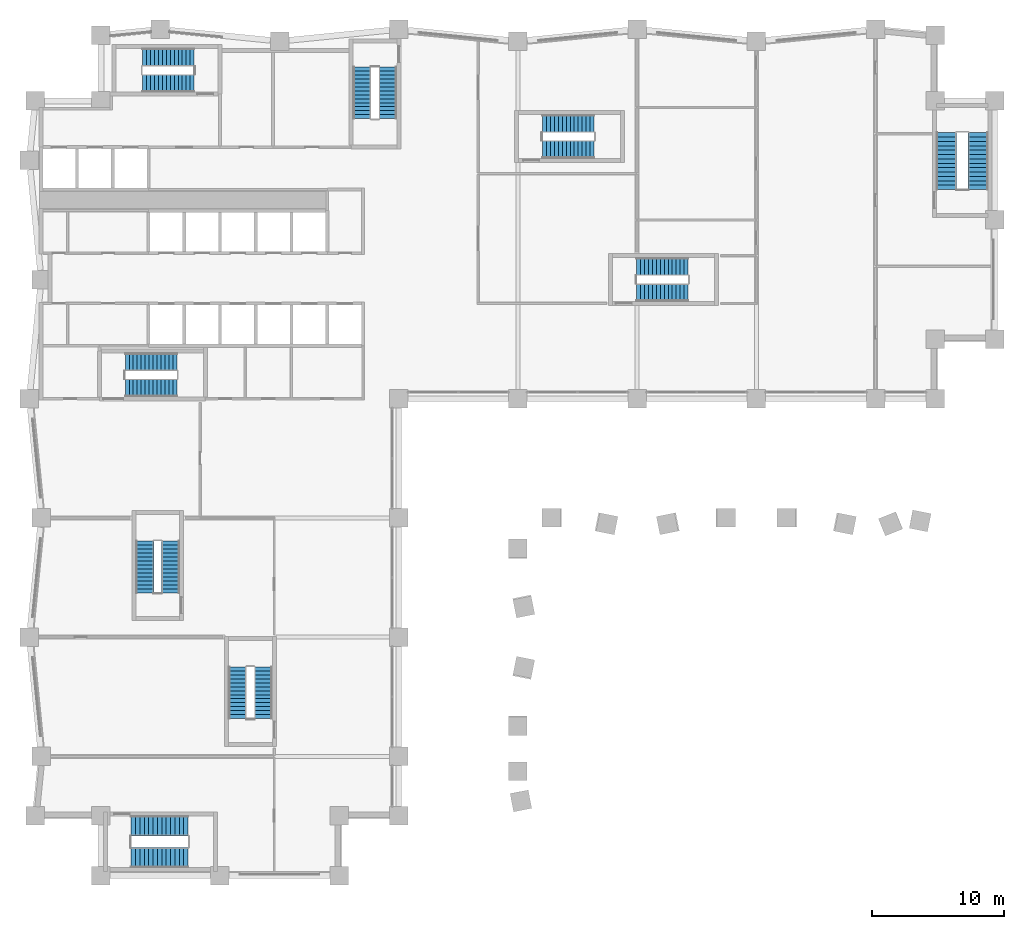
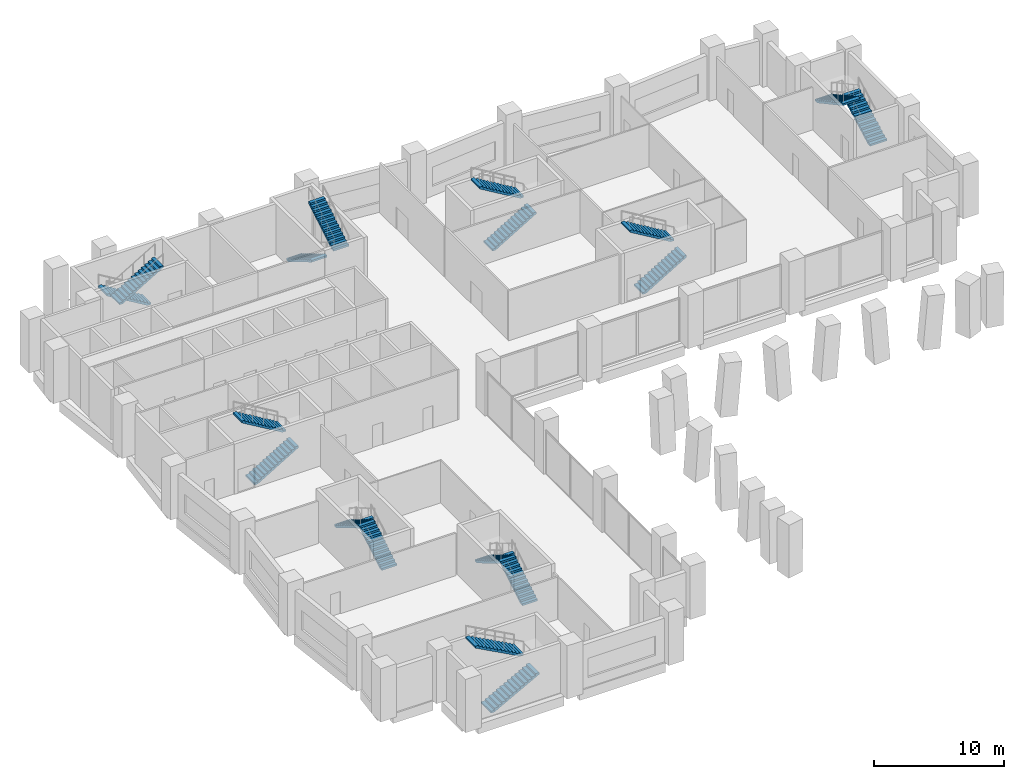
# One storey, part 14 of 17: 18 stair flights, 9 elements without a shape of their own.
"""IFC4 building model written with IfcOpenShell, lengths in metres."""

from ifc_helpers import new_model, si_unit, direction, frame, origin, place, context, subcontext, project, spatial, polyline, outline, extrude, material, type_object, element, aggregate, save


model = new_model("IFC4")

# Units and contexts
model_context = context("Model", 3, precision=1e-05, world=origin(), true_north=direction((0.0, 1.0)))
body_context = subcontext(model_context, "Body", "Model", "MODEL_VIEW")
ifc_project = project(units=[si_unit("LENGTHUNIT", "METRE"), si_unit("AREAUNIT", "SQUARE_METRE"), si_unit("VOLUMEUNIT", "CUBIC_METRE"), si_unit("PLANEANGLEUNIT", "RADIAN"), si_unit("MASSUNIT", "GRAM", prefix="KILO")], contexts=[model_context])

# Site, building, storey
site_placement = place(None, origin())
site = spatial("IfcSite", under=ifc_project, at=site_placement, CompositionType="ELEMENT")
building_placement = place(site_placement, origin())
building = spatial("IfcBuilding", under=site, at=building_placement, Name="Brondeck Convention Tower", CompositionType="ELEMENT")
storey_placement = place(building_placement, frame((0.0, 0.0, 14.5)))
storey = spatial("IfcBuildingStorey", under=building, at=storey_placement, Name="L02", CompositionType="ELEMENT", Elevation=14.5)

# Stair, stair flights
ifc_material = material(Name="Precast concrete C50/60", Category="concrete")
stair_type_1 = type_object("IfcStairType", Name="Core stair 28 risers 178.57 mm riser 300 mm going 1350 wide", PredefinedType="HALF_TURN_STAIR", material=ifc_material)
stair_1_placement = place(storey_placement, origin())
stair_1 = element("IfcStair", 1, at=stair_1_placement, inside=storey, type_object=stair_type_1, Name="ST-1 L02 stair", PredefinedType="HALF_TURN_STAIR")
stair_flight_type_1 = type_object("IfcStairFlightType", Name="Core stair flight 28 risers 178.57 mm riser 300 mm going 1350 wide", PredefinedType="STRAIGHT", material=ifc_material)
stair_flight_1_placement = place(storey_placement, frame((6.35009765625, 36.824951171875, 0.0), z_axis=(0.0, 0.0, 1.0), x_axis=(1.0, 0.0, 0.0)))
stair_flight_1 = element("IfcStairFlight", 2, at=stair_flight_1_placement, type_object=stair_flight_type_1, Name="ST-1 flight 1", NumberOfRisers=14, NumberOfTreads=13, PredefinedType="STRAIGHT", RiserHeight=0.178571429, TreadLength=0.3, context=body_context, shape_type="SweptSolid", body=[
    extrude(outline(polyline([(0.0, 0.0), (0.0, 0.178466796875), (0.300048828125, 0.178466796875), (0.300048828125, 0.357177734375), (0.60009765625, 0.357177734375), (0.60009765625, 0.53564453125), (0.89990234375, 0.53564453125), (0.89990234375, 0.71435546875), (1.199951171875, 0.71435546875), (1.199951171875, 0.892822265625), (1.5, 0.892822265625), (1.5, 1.071533203125), (1.800048828125, 1.071533203125), (1.800048828125, 1.25), (2.10009765625, 1.25), (2.10009765625, 1.428466796875), (2.39990234375, 1.428466796875), (2.39990234375, 1.607177734375), (2.699951171875, 1.607177734375), (2.699951171875, 1.78564453125), (3.0, 1.78564453125), (3.0, 1.96435546875), (3.300048828125, 1.96435546875), (3.300048828125, 2.142822265625), (3.60009765625, 2.142822265625), (3.60009765625, 2.321533203125), (3.89990234375, 2.321533203125), (3.89990234375, 2.5), (3.89990234375, 2.14697265625), (0.29296875, 0.0), (0.0, 0.0)])), frame((0.0, 0.675048828125, 0.0), z_axis=(0.0, -1.0, 0.0), x_axis=(1.0, 0.0, 0.0)), (0.0, 0.0, 1.0), 1.35009765625),
])
stair_flight_2_placement = place(storey_placement, frame((10.25, 38.77490234375, 2.5), z_axis=(0.0, 0.0, 1.0), x_axis=(-1.0, 0.0, 0.0)))
stair_flight_2 = element("IfcStairFlight", 3, at=stair_flight_2_placement, type_object=stair_flight_type_1, Name="ST-1 flight 2", NumberOfRisers=14, NumberOfTreads=13, PredefinedType="STRAIGHT", RiserHeight=0.178571429, TreadLength=0.3, context=body_context, shape_type="SweptSolid", body=[
    extrude(outline(polyline([(0.0, 0.0), (0.0, 0.178466796875), (0.300048828125, 0.178466796875), (0.300048828125, 0.357177734375), (0.60009765625, 0.357177734375), (0.60009765625, 0.53564453125), (0.89990234375, 0.53564453125), (0.89990234375, 0.71435546875), (1.199951171875, 0.71435546875), (1.199951171875, 0.892822265625), (1.5, 0.892822265625), (1.5, 1.071533203125), (1.800048828125, 1.071533203125), (1.800048828125, 1.25), (2.10009765625, 1.25), (2.10009765625, 1.428466796875), (2.39990234375, 1.428466796875), (2.39990234375, 1.607177734375), (2.699951171875, 1.607177734375), (2.699951171875, 1.78564453125), (3.0, 1.78564453125), (3.0, 1.96435546875), (3.300048828125, 1.96435546875), (3.300048828125, 2.142822265625), (3.60009765625, 2.142822265625), (3.60009765625, 2.321533203125), (3.89990234375, 2.321533203125), (3.89990234375, 2.5), (3.89990234375, 2.14697265625), (0.29296875, 0.0), (0.0, 0.0)])), frame((0.0, 0.675048828125, 0.0), z_axis=(0.0, -1.0, 0.0), x_axis=(1.0, 0.0, 0.0)), (0.0, 0.0, 1.0), 1.35009765625),
])
aggregate(stair_1, [stair_flight_1, stair_flight_2])

stair_2_placement = place(storey_placement, origin())
stair_2 = element("IfcStair", 4, at=stair_2_placement, inside=storey, type_object=stair_type_1, Name="ST-2 L02 stair", PredefinedType="HALF_TURN_STAIR")
stair_flight_3_placement = place(storey_placement, frame((24.22509765625, 61.050048828125, 0.0), z_axis=(0.0, 0.0, 1.0), x_axis=(0.0, -1.0, 0.0)))
stair_flight_3 = element("IfcStairFlight", 5, at=stair_flight_3_placement, type_object=stair_flight_type_1, Name="ST-2 flight 1", NumberOfRisers=14, NumberOfTreads=13, PredefinedType="STRAIGHT", RiserHeight=0.178571429, TreadLength=0.3, context=body_context, shape_type="SweptSolid", body=[
    extrude(outline(polyline([(0.0, 0.0), (0.0, 0.178466796875), (0.300048828125, 0.178466796875), (0.300048828125, 0.357177734375), (0.60009765625, 0.357177734375), (0.60009765625, 0.53564453125), (0.89990234375, 0.53564453125), (0.89990234375, 0.71435546875), (1.199951171875, 0.71435546875), (1.199951171875, 0.892822265625), (1.5, 0.892822265625), (1.5, 1.071533203125), (1.800048828125, 1.071533203125), (1.800048828125, 1.25), (2.10009765625, 1.25), (2.10009765625, 1.428466796875), (2.39990234375, 1.428466796875), (2.39990234375, 1.607177734375), (2.699951171875, 1.607177734375), (2.699951171875, 1.78564453125), (3.0, 1.78564453125), (3.0, 1.96435546875), (3.300048828125, 1.96435546875), (3.300048828125, 2.142822265625), (3.60009765625, 2.142822265625), (3.60009765625, 2.321533203125), (3.89990234375, 2.321533203125), (3.89990234375, 2.5), (3.89990234375, 2.14697265625), (0.29296875, 0.0), (0.0, 0.0)])), frame((0.0, 0.675048828125, 0.0), z_axis=(0.0, -1.0, 0.0), x_axis=(1.0, 0.0, 0.0)), (0.0, 0.0, 1.0), 1.35009765625),
])
stair_flight_4_placement = place(storey_placement, frame((26.175048828125, 57.14990234375, 2.5), z_axis=(0.0, 0.0, 1.0), x_axis=(0.0, 1.0, 0.0)))
stair_flight_4 = element("IfcStairFlight", 6, at=stair_flight_4_placement, type_object=stair_flight_type_1, Name="ST-2 flight 2", NumberOfRisers=14, NumberOfTreads=13, PredefinedType="STRAIGHT", RiserHeight=0.178571429, TreadLength=0.3, context=body_context, shape_type="SweptSolid", body=[
    extrude(outline(polyline([(0.0, 0.0), (0.0, 0.178466796875), (0.300048828125, 0.178466796875), (0.300048828125, 0.357177734375), (0.60009765625, 0.357177734375), (0.60009765625, 0.53564453125), (0.89990234375, 0.53564453125), (0.89990234375, 0.71435546875), (1.199951171875, 0.71435546875), (1.199951171875, 0.892822265625), (1.5, 0.892822265625), (1.5, 1.071533203125), (1.800048828125, 1.071533203125), (1.800048828125, 1.25), (2.10009765625, 1.25), (2.10009765625, 1.428466796875), (2.39990234375, 1.428466796875), (2.39990234375, 1.607177734375), (2.699951171875, 1.607177734375), (2.699951171875, 1.78564453125), (3.0, 1.78564453125), (3.0, 1.96435546875), (3.300048828125, 1.96435546875), (3.300048828125, 2.142822265625), (3.60009765625, 2.142822265625), (3.60009765625, 2.321533203125), (3.89990234375, 2.321533203125), (3.89990234375, 2.5), (3.89990234375, 2.14697265625), (0.29296875, 0.0), (0.0, 0.0)])), frame((0.0, 0.675048828125, 0.0), z_axis=(0.0, -1.0, 0.0), x_axis=(1.0, 0.0, 0.0)), (0.0, 0.0, 1.0), 1.35009765625),
])
aggregate(stair_2, [stair_flight_3, stair_flight_4])

stair_3_placement = place(storey_placement, origin())
stair_3 = element("IfcStair", 7, at=stair_3_placement, inside=storey, type_object=stair_type_1, Name="ST-3 L02 stair", PredefinedType="HALF_TURN_STAIR")
stair_flight_5_placement = place(storey_placement, frame((11.550048828125, 61.77490234375, 0.0), z_axis=(0.0, 0.0, 1.0), x_axis=(-1.0, 0.0, 0.0)))
stair_flight_5 = element("IfcStairFlight", 8, at=stair_flight_5_placement, type_object=stair_flight_type_1, Name="ST-3 flight 1", NumberOfRisers=14, NumberOfTreads=13, PredefinedType="STRAIGHT", RiserHeight=0.178571429, TreadLength=0.3, context=body_context, shape_type="SweptSolid", body=[
    extrude(outline(polyline([(0.0, 0.0), (0.0, 0.178466796875), (0.300048828125, 0.178466796875), (0.300048828125, 0.357177734375), (0.60009765625, 0.357177734375), (0.60009765625, 0.53564453125), (0.89990234375, 0.53564453125), (0.89990234375, 0.71435546875), (1.199951171875, 0.71435546875), (1.199951171875, 0.892822265625), (1.5, 0.892822265625), (1.5, 1.071533203125), (1.800048828125, 1.071533203125), (1.800048828125, 1.25), (2.10009765625, 1.25), (2.10009765625, 1.428466796875), (2.39990234375, 1.428466796875), (2.39990234375, 1.607177734375), (2.699951171875, 1.607177734375), (2.699951171875, 1.78564453125), (3.0, 1.78564453125), (3.0, 1.96435546875), (3.300048828125, 1.96435546875), (3.300048828125, 2.142822265625), (3.60009765625, 2.142822265625), (3.60009765625, 2.321533203125), (3.89990234375, 2.321533203125), (3.89990234375, 2.5), (3.89990234375, 2.14697265625), (0.29296875, 0.0), (0.0, 0.0)])), frame((0.0, 0.675048828125, 0.0), z_axis=(0.0, -1.0, 0.0), x_axis=(1.0, 0.0, 0.0)), (0.0, 0.0, 1.0), 1.35009765625),
])
stair_flight_6_placement = place(storey_placement, frame((7.64990234375, 59.824951171875, 2.5), z_axis=(0.0, 0.0, 1.0), x_axis=(1.0, 0.0, 0.0)))
stair_flight_6 = element("IfcStairFlight", 9, at=stair_flight_6_placement, type_object=stair_flight_type_1, Name="ST-3 flight 2", NumberOfRisers=14, NumberOfTreads=13, PredefinedType="STRAIGHT", RiserHeight=0.178571429, TreadLength=0.3, context=body_context, shape_type="SweptSolid", body=[
    extrude(outline(polyline([(0.0, 0.0), (0.0, 0.178466796875), (0.300048828125, 0.178466796875), (0.300048828125, 0.357177734375), (0.60009765625, 0.357177734375), (0.60009765625, 0.53564453125), (0.89990234375, 0.53564453125), (0.89990234375, 0.71435546875), (1.199951171875, 0.71435546875), (1.199951171875, 0.892822265625), (1.5, 0.892822265625), (1.5, 1.071533203125), (1.800048828125, 1.071533203125), (1.800048828125, 1.25), (2.10009765625, 1.25), (2.10009765625, 1.428466796875), (2.39990234375, 1.428466796875), (2.39990234375, 1.607177734375), (2.699951171875, 1.607177734375), (2.699951171875, 1.78564453125), (3.0, 1.78564453125), (3.0, 1.96435546875), (3.300048828125, 1.96435546875), (3.300048828125, 2.142822265625), (3.60009765625, 2.142822265625), (3.60009765625, 2.321533203125), (3.89990234375, 2.321533203125), (3.89990234375, 2.5), (3.89990234375, 2.14697265625), (0.29296875, 0.0), (0.0, 0.0)])), frame((0.0, 0.675048828125, 0.0), z_axis=(0.0, -1.0, 0.0), x_axis=(1.0, 0.0, 0.0)), (0.0, 0.0, 1.0), 1.35009765625),
])
aggregate(stair_3, [stair_flight_5, stair_flight_6])

stair_4_placement = place(storey_placement, origin())
stair_4 = element("IfcStair", 10, at=stair_4_placement, inside=storey, type_object=stair_type_1, Name="ST-AE L02 stair", PredefinedType="HALF_TURN_STAIR")
stair_flight_7_placement = place(storey_placement, frame((37.85009765625, 54.824951171875, 0.0), z_axis=(0.0, 0.0, 1.0), x_axis=(1.0, 0.0, 0.0)))
stair_flight_7 = element("IfcStairFlight", 11, at=stair_flight_7_placement, type_object=stair_flight_type_1, Name="ST-AE flight 1", NumberOfRisers=14, NumberOfTreads=13, PredefinedType="STRAIGHT", RiserHeight=0.178571429, TreadLength=0.3, context=body_context, shape_type="SweptSolid", body=[
    extrude(outline(polyline([(0.0, 0.0), (0.0, 0.178466796875), (0.300048828125, 0.178466796875), (0.300048828125, 0.357177734375), (0.60009765625, 0.357177734375), (0.60009765625, 0.53564453125), (0.89990234375, 0.53564453125), (0.89990234375, 0.71435546875), (1.199951171875, 0.71435546875), (1.199951171875, 0.892822265625), (1.5, 0.892822265625), (1.5, 1.071533203125), (1.800048828125, 1.071533203125), (1.800048828125, 1.25), (2.10009765625, 1.25), (2.10009765625, 1.428466796875), (2.39990234375, 1.428466796875), (2.39990234375, 1.607177734375), (2.699951171875, 1.607177734375), (2.699951171875, 1.78564453125), (3.0, 1.78564453125), (3.0, 1.96435546875), (3.300048828125, 1.96435546875), (3.300048828125, 2.142822265625), (3.60009765625, 2.142822265625), (3.60009765625, 2.321533203125), (3.89990234375, 2.321533203125), (3.89990234375, 2.5), (3.89990234375, 2.14697265625), (0.29296875, 0.0), (0.0, 0.0)])), frame((0.0, 0.675048828125, 0.0), z_axis=(0.0, -1.0, 0.0), x_axis=(1.0, 0.0, 0.0)), (0.0, 0.0, 1.0), 1.35009765625),
])
stair_flight_8_placement = place(storey_placement, frame((41.75, 56.77490234375, 2.5), z_axis=(0.0, 0.0, 1.0), x_axis=(-1.0, 0.0, 0.0)))
stair_flight_8 = element("IfcStairFlight", 12, at=stair_flight_8_placement, type_object=stair_flight_type_1, Name="ST-AE flight 2", NumberOfRisers=14, NumberOfTreads=13, PredefinedType="STRAIGHT", RiserHeight=0.178571429, TreadLength=0.3, context=body_context, shape_type="SweptSolid", body=[
    extrude(outline(polyline([(0.0, 0.0), (0.0, 0.178466796875), (0.300048828125, 0.178466796875), (0.300048828125, 0.357177734375), (0.60009765625, 0.357177734375), (0.60009765625, 0.53564453125), (0.89990234375, 0.53564453125), (0.89990234375, 0.71435546875), (1.199951171875, 0.71435546875), (1.199951171875, 0.892822265625), (1.5, 0.892822265625), (1.5, 1.071533203125), (1.800048828125, 1.071533203125), (1.800048828125, 1.25), (2.10009765625, 1.25), (2.10009765625, 1.428466796875), (2.39990234375, 1.428466796875), (2.39990234375, 1.607177734375), (2.699951171875, 1.607177734375), (2.699951171875, 1.78564453125), (3.0, 1.78564453125), (3.0, 1.96435546875), (3.300048828125, 1.96435546875), (3.300048828125, 2.142822265625), (3.60009765625, 2.142822265625), (3.60009765625, 2.321533203125), (3.89990234375, 2.321533203125), (3.89990234375, 2.5), (3.89990234375, 2.14697265625), (0.29296875, 0.0), (0.0, 0.0)])), frame((0.0, 0.675048828125, 0.0), z_axis=(0.0, -1.0, 0.0), x_axis=(1.0, 0.0, 0.0)), (0.0, 0.0, 1.0), 1.35009765625),
])
aggregate(stair_4, [stair_flight_7, stair_flight_8])

stair_5_placement = place(storey_placement, origin())
stair_5 = element("IfcStair", 13, at=stair_5_placement, inside=storey, type_object=stair_type_1, Name="ST-BE L02 stair", PredefinedType="HALF_TURN_STAIR")
stair_flight_9_placement = place(storey_placement, frame((9.77490234375, 21.35009765625, 0.0), z_axis=(0.0, 0.0, 1.0), x_axis=(0.0, 1.0, 0.0)))
stair_flight_9 = element("IfcStairFlight", 14, at=stair_flight_9_placement, type_object=stair_flight_type_1, Name="ST-BE flight 1", NumberOfRisers=14, NumberOfTreads=13, PredefinedType="STRAIGHT", RiserHeight=0.178571429, TreadLength=0.3, context=body_context, shape_type="SweptSolid", body=[
    extrude(outline(polyline([(0.0, 0.0), (0.0, 0.178466796875), (0.300048828125, 0.178466796875), (0.300048828125, 0.357177734375), (0.60009765625, 0.357177734375), (0.60009765625, 0.53564453125), (0.89990234375, 0.53564453125), (0.89990234375, 0.71435546875), (1.199951171875, 0.71435546875), (1.199951171875, 0.892822265625), (1.5, 0.892822265625), (1.5, 1.071533203125), (1.800048828125, 1.071533203125), (1.800048828125, 1.25), (2.10009765625, 1.25), (2.10009765625, 1.428466796875), (2.39990234375, 1.428466796875), (2.39990234375, 1.607177734375), (2.699951171875, 1.607177734375), (2.699951171875, 1.78564453125), (3.0, 1.78564453125), (3.0, 1.96435546875), (3.300048828125, 1.96435546875), (3.300048828125, 2.142822265625), (3.60009765625, 2.142822265625), (3.60009765625, 2.321533203125), (3.89990234375, 2.321533203125), (3.89990234375, 2.5), (3.89990234375, 2.14697265625), (0.29296875, 0.0), (0.0, 0.0)])), frame((0.0, 0.675048828125, 0.0), z_axis=(0.0, -1.0, 0.0), x_axis=(1.0, 0.0, 0.0)), (0.0, 0.0, 1.0), 1.35009765625),
])
stair_flight_10_placement = place(storey_placement, frame((7.824951171875, 25.25, 2.5), z_axis=(0.0, 0.0, 1.0), x_axis=(0.0, -1.0, 0.0)))
stair_flight_10 = element("IfcStairFlight", 15, at=stair_flight_10_placement, type_object=stair_flight_type_1, Name="ST-BE flight 2", NumberOfRisers=14, NumberOfTreads=13, PredefinedType="STRAIGHT", RiserHeight=0.178571429, TreadLength=0.3, context=body_context, shape_type="SweptSolid", body=[
    extrude(outline(polyline([(0.0, 0.0), (0.0, 0.178466796875), (0.300048828125, 0.178466796875), (0.300048828125, 0.357177734375), (0.60009765625, 0.357177734375), (0.60009765625, 0.53564453125), (0.89990234375, 0.53564453125), (0.89990234375, 0.71435546875), (1.199951171875, 0.71435546875), (1.199951171875, 0.892822265625), (1.5, 0.892822265625), (1.5, 1.071533203125), (1.800048828125, 1.071533203125), (1.800048828125, 1.25), (2.10009765625, 1.25), (2.10009765625, 1.428466796875), (2.39990234375, 1.428466796875), (2.39990234375, 1.607177734375), (2.699951171875, 1.607177734375), (2.699951171875, 1.78564453125), (3.0, 1.78564453125), (3.0, 1.96435546875), (3.300048828125, 1.96435546875), (3.300048828125, 2.142822265625), (3.60009765625, 2.142822265625), (3.60009765625, 2.321533203125), (3.89990234375, 2.321533203125), (3.89990234375, 2.5), (3.89990234375, 2.14697265625), (0.29296875, 0.0), (0.0, 0.0)])), frame((0.0, 0.675048828125, 0.0), z_axis=(0.0, -1.0, 0.0), x_axis=(1.0, 0.0, 0.0)), (0.0, 0.0, 1.0), 1.35009765625),
])
aggregate(stair_5, [stair_flight_9, stair_flight_10])

stair_6_placement = place(storey_placement, origin())
stair_6 = element("IfcStair", 16, at=stair_6_placement, inside=storey, type_object=stair_type_1, Name="ST-AF L02 stair", PredefinedType="HALF_TURN_STAIR")
stair_flight_11_placement = place(storey_placement, frame((44.949951171875, 44.02490234375, 0.0), z_axis=(0.0, 0.0, 1.0), x_axis=(1.0, 0.0, 0.0)))
stair_flight_11 = element("IfcStairFlight", 17, at=stair_flight_11_placement, type_object=stair_flight_type_1, Name="ST-AF flight 1", NumberOfRisers=14, NumberOfTreads=13, PredefinedType="STRAIGHT", RiserHeight=0.178571429, TreadLength=0.3, context=body_context, shape_type="SweptSolid", body=[
    extrude(outline(polyline([(0.0, 0.0), (0.0, 0.178466796875), (0.300048828125, 0.178466796875), (0.300048828125, 0.357177734375), (0.60009765625, 0.357177734375), (0.60009765625, 0.53564453125), (0.89990234375, 0.53564453125), (0.89990234375, 0.71435546875), (1.199951171875, 0.71435546875), (1.199951171875, 0.892822265625), (1.5, 0.892822265625), (1.5, 1.071533203125), (1.800048828125, 1.071533203125), (1.800048828125, 1.25), (2.10009765625, 1.25), (2.10009765625, 1.428466796875), (2.39990234375, 1.428466796875), (2.39990234375, 1.607177734375), (2.699951171875, 1.607177734375), (2.699951171875, 1.78564453125), (3.0, 1.78564453125), (3.0, 1.96435546875), (3.300048828125, 1.96435546875), (3.300048828125, 2.142822265625), (3.60009765625, 2.142822265625), (3.60009765625, 2.321533203125), (3.89990234375, 2.321533203125), (3.89990234375, 2.5), (3.89990234375, 2.14697265625), (0.29296875, 0.0), (0.0, 0.0)])), frame((0.0, 0.675048828125, 0.0), z_axis=(0.0, -1.0, 0.0), x_axis=(1.0, 0.0, 0.0)), (0.0, 0.0, 1.0), 1.35009765625),
])
stair_flight_12_placement = place(storey_placement, frame((48.85009765625, 45.97509765625, 2.5), z_axis=(0.0, 0.0, 1.0), x_axis=(-1.0, 0.0, 0.0)))
stair_flight_12 = element("IfcStairFlight", 18, at=stair_flight_12_placement, type_object=stair_flight_type_1, Name="ST-AF flight 2", NumberOfRisers=14, NumberOfTreads=13, PredefinedType="STRAIGHT", RiserHeight=0.178571429, TreadLength=0.3, context=body_context, shape_type="SweptSolid", body=[
    extrude(outline(polyline([(0.0, 0.0), (0.0, 0.178466796875), (0.300048828125, 0.178466796875), (0.300048828125, 0.357177734375), (0.60009765625, 0.357177734375), (0.60009765625, 0.53564453125), (0.89990234375, 0.53564453125), (0.89990234375, 0.71435546875), (1.199951171875, 0.71435546875), (1.199951171875, 0.892822265625), (1.5, 0.892822265625), (1.5, 1.071533203125), (1.800048828125, 1.071533203125), (1.800048828125, 1.25), (2.10009765625, 1.25), (2.10009765625, 1.428466796875), (2.39990234375, 1.428466796875), (2.39990234375, 1.607177734375), (2.699951171875, 1.607177734375), (2.699951171875, 1.78564453125), (3.0, 1.78564453125), (3.0, 1.96435546875), (3.300048828125, 1.96435546875), (3.300048828125, 2.142822265625), (3.60009765625, 2.142822265625), (3.60009765625, 2.321533203125), (3.89990234375, 2.321533203125), (3.89990234375, 2.5), (3.89990234375, 2.14697265625), (0.29296875, 0.0), (0.0, 0.0)])), frame((0.0, 0.675048828125, 0.0), z_axis=(0.0, -1.0, 0.0), x_axis=(1.0, 0.0, 0.0)), (0.0, 0.0, 1.0), 1.35009765625),
])
aggregate(stair_6, [stair_flight_11, stair_flight_12])

stair_7_placement = place(storey_placement, origin())
stair_7 = element("IfcStair", 19, at=stair_7_placement, inside=storey, type_object=stair_type_1, Name="ST-BF L02 stair", PredefinedType="HALF_TURN_STAIR")
stair_flight_13_placement = place(storey_placement, frame((16.77490234375, 11.85009765625, 0.0), z_axis=(0.0, 0.0, 1.0), x_axis=(0.0, 1.0, 0.0)))
stair_flight_13 = element("IfcStairFlight", 20, at=stair_flight_13_placement, type_object=stair_flight_type_1, Name="ST-BF flight 1", NumberOfRisers=14, NumberOfTreads=13, PredefinedType="STRAIGHT", RiserHeight=0.178571429, TreadLength=0.3, context=body_context, shape_type="SweptSolid", body=[
    extrude(outline(polyline([(0.0, 0.0), (0.0, 0.178466796875), (0.300048828125, 0.178466796875), (0.300048828125, 0.357177734375), (0.60009765625, 0.357177734375), (0.60009765625, 0.53564453125), (0.89990234375, 0.53564453125), (0.89990234375, 0.71435546875), (1.199951171875, 0.71435546875), (1.199951171875, 0.892822265625), (1.5, 0.892822265625), (1.5, 1.071533203125), (1.800048828125, 1.071533203125), (1.800048828125, 1.25), (2.10009765625, 1.25), (2.10009765625, 1.428466796875), (2.39990234375, 1.428466796875), (2.39990234375, 1.607177734375), (2.699951171875, 1.607177734375), (2.699951171875, 1.78564453125), (3.0, 1.78564453125), (3.0, 1.96435546875), (3.300048828125, 1.96435546875), (3.300048828125, 2.142822265625), (3.60009765625, 2.142822265625), (3.60009765625, 2.321533203125), (3.89990234375, 2.321533203125), (3.89990234375, 2.5), (3.89990234375, 2.14697265625), (0.29296875, 0.0), (0.0, 0.0)])), frame((0.0, 0.675048828125, 0.0), z_axis=(0.0, -1.0, 0.0), x_axis=(1.0, 0.0, 0.0)), (0.0, 0.0, 1.0), 1.35009765625),
])
stair_flight_14_placement = place(storey_placement, frame((14.824951171875, 15.75, 2.5), z_axis=(0.0, 0.0, 1.0), x_axis=(0.0, -1.0, 0.0)))
stair_flight_14 = element("IfcStairFlight", 21, at=stair_flight_14_placement, type_object=stair_flight_type_1, Name="ST-BF flight 2", NumberOfRisers=14, NumberOfTreads=13, PredefinedType="STRAIGHT", RiserHeight=0.178571429, TreadLength=0.3, context=body_context, shape_type="SweptSolid", body=[
    extrude(outline(polyline([(0.0, 0.0), (0.0, 0.178466796875), (0.300048828125, 0.178466796875), (0.300048828125, 0.357177734375), (0.60009765625, 0.357177734375), (0.60009765625, 0.53564453125), (0.89990234375, 0.53564453125), (0.89990234375, 0.71435546875), (1.199951171875, 0.71435546875), (1.199951171875, 0.892822265625), (1.5, 0.892822265625), (1.5, 1.071533203125), (1.800048828125, 1.071533203125), (1.800048828125, 1.25), (2.10009765625, 1.25), (2.10009765625, 1.428466796875), (2.39990234375, 1.428466796875), (2.39990234375, 1.607177734375), (2.699951171875, 1.607177734375), (2.699951171875, 1.78564453125), (3.0, 1.78564453125), (3.0, 1.96435546875), (3.300048828125, 1.96435546875), (3.300048828125, 2.142822265625), (3.60009765625, 2.142822265625), (3.60009765625, 2.321533203125), (3.89990234375, 2.321533203125), (3.89990234375, 2.5), (3.89990234375, 2.14697265625), (0.29296875, 0.0), (0.0, 0.0)])), frame((0.0, 0.675048828125, 0.0), z_axis=(0.0, -1.0, 0.0), x_axis=(1.0, 0.0, 0.0)), (0.0, 0.0, 1.0), 1.35009765625),
])
aggregate(stair_7, [stair_flight_13, stair_flight_14])

stair_type_2 = type_object("IfcStairType", Name="Core stair 28 risers 178.57 mm riser 330 mm going 1500 wide", PredefinedType="HALF_TURN_STAIR", material=ifc_material)
stair_8_placement = place(storey_placement, origin())
stair_8 = element("IfcStair", 22, at=stair_8_placement, inside=storey, type_object=stair_type_2, Name="PS-1 L02 stair", PredefinedType="HALF_TURN_STAIR")
stair_flight_type_2 = type_object("IfcStairFlightType", Name="Core stair flight 28 risers 178.57 mm riser 330 mm going 1500 wide", PredefinedType="STRAIGHT", material=ifc_material)
stair_flight_15_placement = place(storey_placement, frame((70.75, 51.800048828125, 0.0), z_axis=(0.0, 0.0, 1.0), x_axis=(0.0, 1.0, 0.0)))
stair_flight_15 = element("IfcStairFlight", 23, at=stair_flight_15_placement, type_object=stair_flight_type_2, Name="PS-1 flight 1", NumberOfRisers=14, NumberOfTreads=13, PredefinedType="STRAIGHT", RiserHeight=0.178571429, TreadLength=0.33, context=body_context, shape_type="SweptSolid", body=[
    extrude(outline(polyline([(0.0, 0.0), (0.0, 0.178466796875), (0.330078125, 0.178466796875), (0.330078125, 0.357177734375), (0.659912109375, 0.357177734375), (0.659912109375, 0.53564453125), (0.989990234375, 0.53564453125), (0.989990234375, 0.71435546875), (1.320068359375, 0.71435546875), (1.320068359375, 0.892822265625), (1.64990234375, 0.892822265625), (1.64990234375, 1.071533203125), (1.97998046875, 1.071533203125), (1.97998046875, 1.25), (2.31005859375, 1.25), (2.31005859375, 1.428466796875), (2.639892578125, 1.428466796875), (2.639892578125, 1.607177734375), (2.969970703125, 1.607177734375), (2.969970703125, 1.78564453125), (3.300048828125, 1.78564453125), (3.300048828125, 1.96435546875), (3.6298828125, 1.96435546875), (3.6298828125, 2.142822265625), (3.9599609375, 2.142822265625), (3.9599609375, 2.321533203125), (4.2900390625, 2.321533203125), (4.2900390625, 2.5), (4.2900390625, 2.15087890625), (0.31494140625, 0.0), (0.0, 0.0)])), frame((0.0, 0.75, 0.0), z_axis=(0.0, -1.0, 0.0), x_axis=(1.0, 0.0, 0.0)), (0.0, 0.0, 1.0), 1.5),
])
stair_flight_16_placement = place(storey_placement, frame((68.35009765625, 56.090087890625, 2.5), z_axis=(0.0, 0.0, 1.0), x_axis=(0.0, -1.0, 0.0)))
stair_flight_16 = element("IfcStairFlight", 24, at=stair_flight_16_placement, type_object=stair_flight_type_2, Name="PS-1 flight 2", NumberOfRisers=14, NumberOfTreads=13, PredefinedType="STRAIGHT", RiserHeight=0.178571429, TreadLength=0.33, context=body_context, shape_type="SweptSolid", body=[
    extrude(outline(polyline([(0.0, 0.0), (0.0, 0.178466796875), (0.330078125, 0.178466796875), (0.330078125, 0.357177734375), (0.659912109375, 0.357177734375), (0.659912109375, 0.53564453125), (0.989990234375, 0.53564453125), (0.989990234375, 0.71435546875), (1.320068359375, 0.71435546875), (1.320068359375, 0.892822265625), (1.64990234375, 0.892822265625), (1.64990234375, 1.071533203125), (1.97998046875, 1.071533203125), (1.97998046875, 1.25), (2.31005859375, 1.25), (2.31005859375, 1.428466796875), (2.639892578125, 1.428466796875), (2.639892578125, 1.607177734375), (2.969970703125, 1.607177734375), (2.969970703125, 1.78564453125), (3.300048828125, 1.78564453125), (3.300048828125, 1.96435546875), (3.6298828125, 1.96435546875), (3.6298828125, 2.142822265625), (3.9599609375, 2.142822265625), (3.9599609375, 2.321533203125), (4.2900390625, 2.321533203125), (4.2900390625, 2.5), (4.2900390625, 2.15087890625), (0.31494140625, 0.0), (0.0, 0.0)])), frame((0.0, 0.75, 0.0), z_axis=(0.0, -1.0, 0.0), x_axis=(1.0, 0.0, 0.0)), (0.0, 0.0, 1.0), 1.5),
])
aggregate(stair_8, [stair_flight_15, stair_flight_16])

stair_9_placement = place(storey_placement, origin())
stair_9 = element("IfcStair", 25, at=stair_9_placement, inside=storey, type_object=stair_type_2, Name="PS-2 L02 stair", PredefinedType="HALF_TURN_STAIR")
stair_flight_17_placement = place(storey_placement, frame((6.800048828125, 1.35009765625, 0.0), z_axis=(0.0, 0.0, 1.0), x_axis=(1.0, 0.0, 0.0)))
stair_flight_17 = element("IfcStairFlight", 26, at=stair_flight_17_placement, type_object=stair_flight_type_2, Name="PS-2 flight 1", NumberOfRisers=14, NumberOfTreads=13, PredefinedType="STRAIGHT", RiserHeight=0.178571429, TreadLength=0.33, context=body_context, shape_type="SweptSolid", body=[
    extrude(outline(polyline([(0.0, 0.0), (0.0, 0.178466796875), (0.330078125, 0.178466796875), (0.330078125, 0.357177734375), (0.659912109375, 0.357177734375), (0.659912109375, 0.53564453125), (0.989990234375, 0.53564453125), (0.989990234375, 0.71435546875), (1.320068359375, 0.71435546875), (1.320068359375, 0.892822265625), (1.64990234375, 0.892822265625), (1.64990234375, 1.071533203125), (1.97998046875, 1.071533203125), (1.97998046875, 1.25), (2.31005859375, 1.25), (2.31005859375, 1.428466796875), (2.639892578125, 1.428466796875), (2.639892578125, 1.607177734375), (2.969970703125, 1.607177734375), (2.969970703125, 1.78564453125), (3.300048828125, 1.78564453125), (3.300048828125, 1.96435546875), (3.6298828125, 1.96435546875), (3.6298828125, 2.142822265625), (3.9599609375, 2.142822265625), (3.9599609375, 2.321533203125), (4.2900390625, 2.321533203125), (4.2900390625, 2.5), (4.2900390625, 2.15087890625), (0.31494140625, 0.0), (0.0, 0.0)])), frame((0.0, 0.75, 0.0), z_axis=(0.0, -1.0, 0.0), x_axis=(1.0, 0.0, 0.0)), (0.0, 0.0, 1.0), 1.5),
])
stair_flight_18_placement = place(storey_placement, frame((11.090087890625, 3.75, 2.5), z_axis=(0.0, 0.0, 1.0), x_axis=(-1.0, 0.0, 0.0)))
stair_flight_18 = element("IfcStairFlight", 27, at=stair_flight_18_placement, type_object=stair_flight_type_2, Name="PS-2 flight 2", NumberOfRisers=14, NumberOfTreads=13, PredefinedType="STRAIGHT", RiserHeight=0.178571429, TreadLength=0.33, context=body_context, shape_type="SweptSolid", body=[
    extrude(outline(polyline([(0.0, 0.0), (0.0, 0.178466796875), (0.330078125, 0.178466796875), (0.330078125, 0.357177734375), (0.659912109375, 0.357177734375), (0.659912109375, 0.53564453125), (0.989990234375, 0.53564453125), (0.989990234375, 0.71435546875), (1.320068359375, 0.71435546875), (1.320068359375, 0.892822265625), (1.64990234375, 0.892822265625), (1.64990234375, 1.071533203125), (1.97998046875, 1.071533203125), (1.97998046875, 1.25), (2.31005859375, 1.25), (2.31005859375, 1.428466796875), (2.639892578125, 1.428466796875), (2.639892578125, 1.607177734375), (2.969970703125, 1.607177734375), (2.969970703125, 1.78564453125), (3.300048828125, 1.78564453125), (3.300048828125, 1.96435546875), (3.6298828125, 1.96435546875), (3.6298828125, 2.142822265625), (3.9599609375, 2.142822265625), (3.9599609375, 2.321533203125), (4.2900390625, 2.321533203125), (4.2900390625, 2.5), (4.2900390625, 2.15087890625), (0.31494140625, 0.0), (0.0, 0.0)])), frame((0.0, 0.75, 0.0), z_axis=(0.0, -1.0, 0.0), x_axis=(1.0, 0.0, 0.0)), (0.0, 0.0, 1.0), 1.5),
])
aggregate(stair_9, [stair_flight_17, stair_flight_18])

save(model, "model.ifc")
